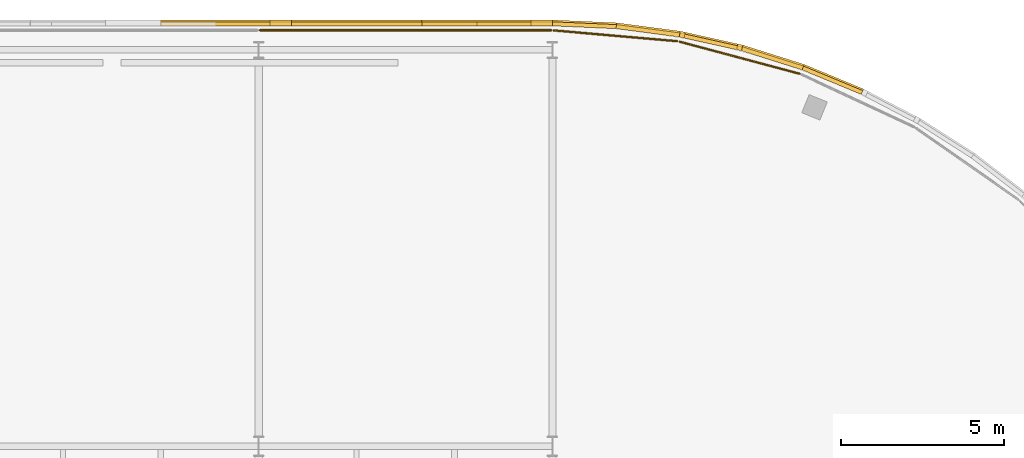
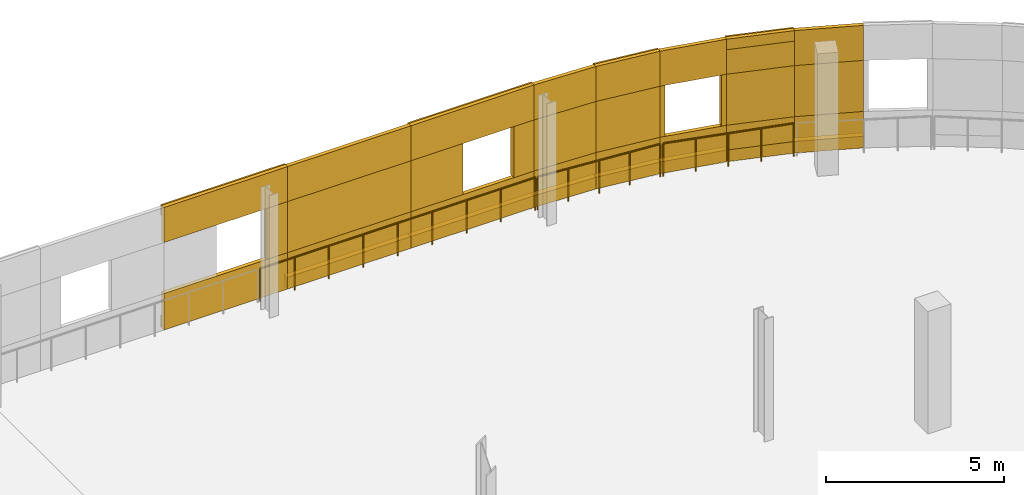
# One storey, part 128 of 132: 38 coverings, 3 railings.
"""IFC4 building model written with IfcOpenShell, lengths in metres."""

from ifc_helpers import new_model, si_unit, direction, frame, origin, origin_2d, place, context, subcontext, project, spatial, rectangle, circle, extrude, material, layer, layer_set, type_object, element, save


model = new_model("IFC4")

# Units and contexts
model_context = context("Model", 3, precision=1e-05, world=origin(), true_north=direction((0.0, 1.0)))
body_context = subcontext(model_context, "Body", "Model", "MODEL_VIEW")
ifc_project = project(units=[si_unit("LENGTHUNIT", "METRE"), si_unit("AREAUNIT", "SQUARE_METRE"), si_unit("VOLUMEUNIT", "CUBIC_METRE"), si_unit("PLANEANGLEUNIT", "RADIAN"), si_unit("MASSUNIT", "GRAM", prefix="KILO")], contexts=[model_context])

# Site, building, storey
site_placement = place(None, origin())
site = spatial("IfcSite", under=ifc_project, at=site_placement, CompositionType="ELEMENT")
building_placement = place(site_placement, origin())
building = spatial("IfcBuilding", under=site, at=building_placement, Name="Deido Ridge Mobility Hub", CompositionType="ELEMENT")
storey_placement = place(building_placement, frame((0.0, 0.0, 8.39990234375)))
storey = spatial("IfcBuildingStorey", under=building, at=storey_placement, Name="L02", CompositionType="ELEMENT", Elevation=8.39990234375)

# Coverings
ifc_material_1 = material(Name="Fired clay brick masonry", Category="masonry")
ifc_layer = layer(ifc_material_1, 0.114990234375, Name="Fired clay brick masonry")
ifc_layer_set = layer_set([ifc_layer], Name="Fired clay brick masonry")
covering_type = type_object("IfcCoveringType", Name="COV-BRK-SCREEN-115", PredefinedType="CLADDING", material=ifc_layer_set)
covering_1_placement = place(storey_placement, frame((125.58203125, 124.218994140625, 0.0), z_axis=(0.0, 0.0, 1.0), x_axis=(-0.923872853285, 0.382699557047, 0.0)))
element("IfcCovering", 1, at=covering_1_placement, inside=storey, type_object=covering_type, Name="Open brickwork spandrel course BKS1 (L02)", PredefinedType="CLADDING", context=body_context, shape_type="SweptSolid", body=[
    extrude(rectangle(XDim=1.9619140625, YDim=0.125, at=origin_2d()), origin(), (0.0, 0.0, 1.0), 1.25),
])
covering_2_placement = place(storey_placement, frame((125.5927734375, 124.244384765625, 0.000244140625), z_axis=(0.0, 0.0, 1.0), x_axis=(-0.923872853285, 0.382699557047, 0.0)))
element("IfcCovering", 2, at=covering_2_placement, inside=storey, type_object=covering_type, Name="Raised brick relief belt BKS1 (L02)", PredefinedType="CLADDING", context=body_context, shape_type="SweptSolid", body=[
    extrude(rectangle(XDim=1.9619140625, YDim=0.179931640625, at=origin_2d()), origin(), (0.0, 0.0, 1.0), 0.39990234375),
])
covering_3_placement = place(storey_placement, frame((125.58203125, 124.218994140625, 3.0), z_axis=(0.0, 0.0, 1.0), x_axis=(-0.923872853285, 0.382699557047, 0.0)))
element("IfcCovering", 3, at=covering_3_placement, inside=storey, type_object=covering_type, Name="Open brickwork lintel course BKS1 (L02)", PredefinedType="CLADDING", context=body_context, shape_type="SweptSolid", body=[
    extrude(rectangle(XDim=1.9619140625, YDim=0.125, at=origin_2d()), origin(), (0.0, 0.0, 1.0), 1.199951171875),
])
covering_4_placement = place(storey_placement, frame((125.58203125, 124.218994140625, 1.25), z_axis=(0.0, 0.0, 1.0), x_axis=(-0.923872853285, 0.382699557047, 0.0)))
element("IfcCovering", 4, at=covering_4_placement, inside=storey, type_object=covering_type, Name="Curved raised brickwork pier BKS1 (L02)", PredefinedType="CLADDING", context=body_context, shape_type="SweptSolid", body=[
    extrude(rectangle(XDim=1.9619140625, YDim=0.125, at=origin_2d()), origin(), (0.0, 0.0, 1.0), 1.75),
])
covering_5_placement = place(storey_placement, frame((123.74365234375, 124.88818359375, 0.0), z_axis=(0.0, 0.0, 1.0), x_axis=(-0.95372744678, 0.300672508319, 0.0)))
element("IfcCovering", 5, at=covering_5_placement, inside=storey, type_object=covering_type, Name="Open brickwork spandrel course BKS1 (L02)", PredefinedType="CLADDING", context=body_context, shape_type="SweptSolid", body=[
    extrude(rectangle(XDim=1.9619140625, YDim=0.125, at=origin_2d()), origin(), (0.0, 0.0, 1.0), 1.25),
])
covering_6_placement = place(storey_placement, frame((123.751953125, 124.914306640625, 0.000244140625), z_axis=(0.0, 0.0, 1.0), x_axis=(-0.95372744678, 0.300672508319, 0.0)))
element("IfcCovering", 6, at=covering_6_placement, inside=storey, type_object=covering_type, Name="Raised brick relief belt BKS1 (L02)", PredefinedType="CLADDING", context=body_context, shape_type="SweptSolid", body=[
    extrude(rectangle(XDim=1.9619140625, YDim=0.179931640625, at=origin_2d()), origin(), (0.0, 0.0, 1.0), 0.39990234375),
])
covering_7_placement = place(storey_placement, frame((123.74365234375, 124.88818359375, 3.0), z_axis=(0.0, 0.0, 1.0), x_axis=(-0.95372744678, 0.300672508319, 0.0)))
element("IfcCovering", 7, at=covering_7_placement, inside=storey, type_object=covering_type, Name="Open brickwork lintel course BKS1 (L02)", PredefinedType="CLADDING", context=body_context, shape_type="SweptSolid", body=[
    extrude(rectangle(XDim=1.9619140625, YDim=0.125, at=origin_2d()), origin(), (0.0, 0.0, 1.0), 1.199951171875),
])
covering_8_placement = place(storey_placement, frame((123.751953125, 124.914306640625, 3.83984375), z_axis=(0.0, 0.0, 1.0), x_axis=(-0.95372744678, 0.300672508319, 0.0)))
element("IfcCovering", 8, at=covering_8_placement, inside=storey, type_object=covering_type, Name="Raised brick relief cornice BKS1 (L02)", PredefinedType="CLADDING", context=body_context, shape_type="SweptSolid", body=[
    extrude(rectangle(XDim=1.9619140625, YDim=0.179931640625, at=origin_2d()), origin(), (0.0, 0.0, 1.0), 0.360107421875),
])
covering_9_placement = place(storey_placement, frame((123.751953125, 124.914306640625, 1.25), z_axis=(0.0, 0.0, 1.0), x_axis=(-0.95372744678, 0.300672508319, 0.0)))
element("IfcCovering", 9, at=covering_9_placement, inside=storey, type_object=covering_type, Name="Curved raised brickwork pier BKS1 (L02)", PredefinedType="CLADDING", context=body_context, shape_type="SweptSolid", body=[
    extrude(rectangle(XDim=1.9619140625, YDim=0.179931640625, at=origin_2d()), origin(), (0.0, 0.0, 1.0), 1.75),
])
covering_10_placement = place(storey_placement, frame((121.85400390625, 125.39453125, 0.0), z_axis=(0.0, 0.0, 1.0), x_axis=(-0.976292229387, 0.216456653485, 0.0)))
element("IfcCovering", 10, at=covering_10_placement, inside=storey, type_object=covering_type, Name="Open brickwork spandrel course BKS1 (L02)", PredefinedType="CLADDING", context=body_context, shape_type="SweptSolid", body=[
    extrude(rectangle(XDim=1.9619140625, YDim=0.125, at=origin_2d()), origin(), (0.0, 0.0, 1.0), 1.25),
])
covering_11_placement = place(storey_placement, frame((121.85986328125, 125.42138671875, 0.000244140625), z_axis=(0.0, 0.0, 1.0), x_axis=(-0.976292229387, 0.216456653485, 0.0)))
element("IfcCovering", 11, at=covering_11_placement, inside=storey, type_object=covering_type, Name="Raised brick relief belt BKS1 (L02)", PredefinedType="CLADDING", context=body_context, shape_type="SweptSolid", body=[
    extrude(rectangle(XDim=1.9619140625, YDim=0.179931640625, at=origin_2d()), origin(), (0.0, 0.0, 1.0), 0.39990234375),
])
covering_12_placement = place(storey_placement, frame((121.85400390625, 125.39453125, 3.0), z_axis=(0.0, 0.0, 1.0), x_axis=(-0.976292229387, 0.216456653485, 0.0)))
element("IfcCovering", 12, at=covering_12_placement, inside=storey, type_object=covering_type, Name="Open brickwork lintel course BKS1 (L02)", PredefinedType="CLADDING", context=body_context, shape_type="SweptSolid", body=[
    extrude(rectangle(XDim=1.9619140625, YDim=0.125, at=origin_2d()), origin(), (0.0, 0.0, 1.0), 1.199951171875),
])
for number, where, z_axis, x_axis, name in (
    (13, (122.739501953125, 125.226318359375, 1.25), (0.0, 0.0, 1.0), (-0.976292229387, 0.216456653485, 0.0), "Curved brick jamb nib BKS1 (L02)"),
    (14, (120.980224609375, 125.616455078125, 1.25), (0.0, 0.0, 1.0), (-0.976292229387, 0.216456653485, 0.0), "Curved brick jamb nib BKS1 (L02)"),
):
    element("IfcCovering", number, at=place(storey_placement, frame(where, z_axis=z_axis, x_axis=x_axis)), inside=storey, type_object=covering_type, Name=name, PredefinedType="CLADDING", context=body_context, shape_type="SweptSolid", body=[
        extrude(rectangle(XDim=0.152099609375, YDim=0.179931640625, at=origin_2d()), origin(), (0.0, 0.0, 1.0), 1.75),
    ])
covering_13_placement = place(storey_placement, frame((119.92724609375, 125.734375, 0.0), z_axis=(0.0, 0.0, 1.0), x_axis=(-0.991442583111, 0.130543496177, 0.0)))
element("IfcCovering", 15, at=covering_13_placement, inside=storey, type_object=covering_type, Name="Open brickwork spandrel course BKS1 (L02)", PredefinedType="CLADDING", context=body_context, shape_type="SweptSolid", body=[
    extrude(rectangle(XDim=1.9619140625, YDim=0.125, at=origin_2d()), origin(), (0.0, 0.0, 1.0), 1.25),
])
covering_14_placement = place(storey_placement, frame((119.930908203125, 125.76171875, 0.000244140625), z_axis=(0.0, 0.0, 1.0), x_axis=(-0.991442583111, 0.130543496177, 0.0)))
element("IfcCovering", 16, at=covering_14_placement, inside=storey, type_object=covering_type, Name="Raised brick relief belt BKS1 (L02)", PredefinedType="CLADDING", context=body_context, shape_type="SweptSolid", body=[
    extrude(rectangle(XDim=1.9619140625, YDim=0.179931640625, at=origin_2d()), origin(), (0.0, 0.0, 1.0), 0.39990234375),
])
covering_15_placement = place(storey_placement, frame((119.92724609375, 125.734375, 3.0), z_axis=(0.0, 0.0, 1.0), x_axis=(-0.991442583111, 0.130543496177, 0.0)))
element("IfcCovering", 17, at=covering_15_placement, inside=storey, type_object=covering_type, Name="Open brickwork lintel course BKS1 (L02)", PredefinedType="CLADDING", context=body_context, shape_type="SweptSolid", body=[
    extrude(rectangle(XDim=1.9619140625, YDim=0.125, at=origin_2d()), origin(), (0.0, 0.0, 1.0), 1.199951171875),
])
covering_16_placement = place(storey_placement, frame((119.930908203125, 125.76171875, 3.83984375), z_axis=(0.0, 0.0, 1.0), x_axis=(-0.991442583111, 0.130543496177, 0.0)))
element("IfcCovering", 18, at=covering_16_placement, inside=storey, type_object=covering_type, Name="Raised brick relief cornice BKS1 (L02)", PredefinedType="CLADDING", context=body_context, shape_type="SweptSolid", body=[
    extrude(rectangle(XDim=1.9619140625, YDim=0.179931640625, at=origin_2d()), origin(), (0.0, 0.0, 1.0), 0.360107421875),
])
covering_17_placement = place(storey_placement, frame((119.930908203125, 125.76171875, 1.25), z_axis=(0.0, 0.0, 1.0), x_axis=(-0.991442583111, 0.130543496177, 0.0)))
element("IfcCovering", 19, at=covering_17_placement, inside=storey, type_object=covering_type, Name="Curved raised brickwork pier BKS1 (L02)", PredefinedType="CLADDING", context=body_context, shape_type="SweptSolid", body=[
    extrude(rectangle(XDim=1.9619140625, YDim=0.179931640625, at=origin_2d()), origin(), (0.0, 0.0, 1.0), 1.75),
])
covering_18_placement = place(storey_placement, frame((117.978271484375, 125.90478515625, 0.0), z_axis=(0.0, 0.0, 1.0), x_axis=(-0.999048982732, 0.043601950678, 0.0)))
element("IfcCovering", 20, at=covering_18_placement, inside=storey, type_object=covering_type, Name="Open brickwork spandrel course BKS1 (L02)", PredefinedType="CLADDING", context=body_context, shape_type="SweptSolid", body=[
    extrude(rectangle(XDim=1.9619140625, YDim=0.125, at=origin_2d()), origin(), (0.0, 0.0, 1.0), 1.25),
])
covering_19_placement = place(storey_placement, frame((117.9794921875, 125.932373046875, 0.000244140625), z_axis=(0.0, 0.0, 1.0), x_axis=(-0.999048982732, 0.043601950678, 0.0)))
element("IfcCovering", 21, at=covering_19_placement, inside=storey, type_object=covering_type, Name="Raised brick relief belt BKS1 (L02)", PredefinedType="CLADDING", context=body_context, shape_type="SweptSolid", body=[
    extrude(rectangle(XDim=1.9619140625, YDim=0.179931640625, at=origin_2d()), origin(), (0.0, 0.0, 1.0), 0.39990234375),
])
covering_20_placement = place(storey_placement, frame((117.978271484375, 125.90478515625, 3.0), z_axis=(0.0, 0.0, 1.0), x_axis=(-0.999048982732, 0.043601950678, 0.0)))
element("IfcCovering", 22, at=covering_20_placement, inside=storey, type_object=covering_type, Name="Open brickwork lintel course BKS1 (L02)", PredefinedType="CLADDING", context=body_context, shape_type="SweptSolid", body=[
    extrude(rectangle(XDim=1.9619140625, YDim=0.125, at=origin_2d()), origin(), (0.0, 0.0, 1.0), 1.199951171875),
])
covering_21_placement = place(storey_placement, frame((117.978271484375, 125.90478515625, 1.25), z_axis=(0.0, 0.0, 1.0), x_axis=(-0.999048982732, 0.043601950678, 0.0)))
element("IfcCovering", 23, at=covering_21_placement, inside=storey, type_object=covering_type, Name="Curved raised brickwork pier BKS1 (L02)", PredefinedType="CLADDING", context=body_context, shape_type="SweptSolid", body=[
    extrude(rectangle(XDim=1.9619140625, YDim=0.125, at=origin_2d()), origin(), (0.0, 0.0, 1.0), 1.75),
])
covering_22_placement = place(storey_placement, frame((115.0, 125.947509765625, 0.0), z_axis=(0.0, 0.0, 1.0), x_axis=(-1.0, 0.0, 0.0)))
element("IfcCovering", 24, at=covering_22_placement, inside=storey, type_object=covering_type, Name="Open brickwork spandrel course BKS1 (L02)", PredefinedType="CLADDING", context=body_context, shape_type="SweptSolid", body=[
    extrude(rectangle(XDim=4.01611328125, YDim=0.125, at=origin_2d()), origin(), (0.0, 0.0, 1.0), 1.25),
])
covering_23_placement = place(storey_placement, frame((115.0, 125.97509765625, 0.000244140625), z_axis=(0.0, 0.0, 1.0), x_axis=(-1.0, 0.0, 0.0)))
element("IfcCovering", 25, at=covering_23_placement, inside=storey, type_object=covering_type, Name="Raised brick relief belt BKS1 (L02)", PredefinedType="CLADDING", context=body_context, shape_type="SweptSolid", body=[
    extrude(rectangle(XDim=4.01611328125, YDim=0.179931640625, at=origin_2d()), origin(), (0.0, 0.0, 1.0), 0.39990234375),
])
covering_24_placement = place(storey_placement, frame((115.0, 125.947509765625, 3.0), z_axis=(0.0, 0.0, 1.0), x_axis=(-1.0, 0.0, 0.0)))
element("IfcCovering", 26, at=covering_24_placement, inside=storey, type_object=covering_type, Name="Open brickwork lintel course BKS1 (L02)", PredefinedType="CLADDING", context=body_context, shape_type="SweptSolid", body=[
    extrude(rectangle(XDim=4.01611328125, YDim=0.125, at=origin_2d()), origin(), (0.0, 0.0, 1.0), 1.199951171875),
])
covering_25_placement = place(storey_placement, frame((115.0, 125.97509765625, 3.83984375), z_axis=(0.0, 0.0, 1.0), x_axis=(-1.0, 0.0, 0.0)))
element("IfcCovering", 27, at=covering_25_placement, inside=storey, type_object=covering_type, Name="Raised brick relief cornice BKS1 (L02)", PredefinedType="CLADDING", context=body_context, shape_type="SweptSolid", body=[
    extrude(rectangle(XDim=4.01611328125, YDim=0.179931640625, at=origin_2d()), origin(), (0.0, 0.0, 1.0), 0.360107421875),
])
covering_26_placement = place(storey_placement, frame((116.672607421875, 125.97509765625, 1.25), z_axis=(0.0, 0.0, 1.0), x_axis=(-1.0, 0.0, 0.0)))
element("IfcCovering", 28, at=covering_26_placement, inside=storey, type_object=covering_type, Name="Open brickwork pier BKS1 (L02)", PredefinedType="CLADDING", context=body_context, shape_type="SweptSolid", body=[
    extrude(rectangle(XDim=0.655029296875, YDim=0.179931640625, at=origin_2d()), origin(), (0.0, 0.0, 1.0), 1.75),
])
covering_27_placement = place(storey_placement, frame((113.847412109375, 125.947509765625, 1.25), z_axis=(0.0, 0.0, 1.0), x_axis=(-1.0, 0.0, 0.0)))
element("IfcCovering", 29, at=covering_27_placement, inside=storey, type_object=covering_type, Name="Open brickwork pier BKS1 (L02)", PredefinedType="CLADDING", context=body_context, shape_type="SweptSolid", body=[
    extrude(rectangle(XDim=1.695068359375, YDim=0.125, at=origin_2d()), origin(), (0.0, 0.0, 1.0), 1.75),
])
covering_28_placement = place(storey_placement, frame((111.0, 125.947509765625, 0.0), z_axis=(0.0, 0.0, 1.0), x_axis=(-1.0, 0.0, 0.0)))
element("IfcCovering", 30, at=covering_28_placement, inside=storey, type_object=covering_type, Name="Open brickwork spandrel course BKS1 (L02)", PredefinedType="CLADDING", context=body_context, shape_type="SweptSolid", body=[
    extrude(rectangle(XDim=4.01611328125, YDim=0.125, at=origin_2d()), origin(), (0.0, 0.0, 1.0), 1.25),
])
covering_29_placement = place(storey_placement, frame((111.0, 125.97509765625, 0.000244140625), z_axis=(0.0, 0.0, 1.0), x_axis=(-1.0, 0.0, 0.0)))
element("IfcCovering", 31, at=covering_29_placement, inside=storey, type_object=covering_type, Name="Raised brick relief belt BKS1 (L02)", PredefinedType="CLADDING", context=body_context, shape_type="SweptSolid", body=[
    extrude(rectangle(XDim=4.01611328125, YDim=0.179931640625, at=origin_2d()), origin(), (0.0, 0.0, 1.0), 0.39990234375),
])
covering_30_placement = place(storey_placement, frame((111.0, 125.947509765625, 3.0), z_axis=(0.0, 0.0, 1.0), x_axis=(-1.0, 0.0, 0.0)))
element("IfcCovering", 32, at=covering_30_placement, inside=storey, type_object=covering_type, Name="Open brickwork lintel course BKS1 (L02)", PredefinedType="CLADDING", context=body_context, shape_type="SweptSolid", body=[
    extrude(rectangle(XDim=4.01611328125, YDim=0.125, at=origin_2d()), origin(), (0.0, 0.0, 1.0), 1.199951171875),
])
covering_31_placement = place(storey_placement, frame((111.0, 125.97509765625, 1.25), z_axis=(0.0, 0.0, 1.0), x_axis=(-1.0, 0.0, 0.0)))
element("IfcCovering", 33, at=covering_31_placement, inside=storey, type_object=covering_type, Name="Raised brick relief panel BKS1 (L02)", PredefinedType="CLADDING", context=body_context, shape_type="SweptSolid", body=[
    extrude(rectangle(XDim=4.008056640625, YDim=0.179931640625, at=origin_2d()), origin(), (0.0, 0.0, 1.0), 1.75),
])
covering_32_placement = place(storey_placement, frame((107.0, 125.947509765625, 0.0), z_axis=(0.0, 0.0, 1.0), x_axis=(-1.0, 0.0, 0.0)))
element("IfcCovering", 34, at=covering_32_placement, inside=storey, type_object=covering_type, Name="Open brickwork spandrel course BKS1 (L02)", PredefinedType="CLADDING", context=body_context, shape_type="SweptSolid", body=[
    extrude(rectangle(XDim=4.01611328125, YDim=0.125, at=origin_2d()), origin(), (0.0, 0.0, 1.0), 1.25),
])
covering_33_placement = place(storey_placement, frame((107.0, 125.97509765625, 0.000244140625), z_axis=(0.0, 0.0, 1.0), x_axis=(-1.0, 0.0, 0.0)))
element("IfcCovering", 35, at=covering_33_placement, inside=storey, type_object=covering_type, Name="Raised brick relief belt BKS1 (L02)", PredefinedType="CLADDING", context=body_context, shape_type="SweptSolid", body=[
    extrude(rectangle(XDim=4.01611328125, YDim=0.179931640625, at=origin_2d()), origin(), (0.0, 0.0, 1.0), 0.39990234375),
])
covering_34_placement = place(storey_placement, frame((107.0, 125.947509765625, 3.0), z_axis=(0.0, 0.0, 1.0), x_axis=(-1.0, 0.0, 0.0)))
element("IfcCovering", 36, at=covering_34_placement, inside=storey, type_object=covering_type, Name="Open brickwork lintel course BKS1 (L02)", PredefinedType="CLADDING", context=body_context, shape_type="SweptSolid", body=[
    extrude(rectangle(XDim=4.01611328125, YDim=0.125, at=origin_2d()), origin(), (0.0, 0.0, 1.0), 1.199951171875),
])
covering_35_placement = place(storey_placement, frame((107.0, 125.97509765625, 3.83984375), z_axis=(0.0, 0.0, 1.0), x_axis=(-1.0, 0.0, 0.0)))
element("IfcCovering", 37, at=covering_35_placement, inside=storey, type_object=covering_type, Name="Raised brick relief cornice BKS1 (L02)", PredefinedType="CLADDING", context=body_context, shape_type="SweptSolid", body=[
    extrude(rectangle(XDim=4.01611328125, YDim=0.179931640625, at=origin_2d()), origin(), (0.0, 0.0, 1.0), 0.360107421875),
])
covering_36_placement = place(storey_placement, frame((108.672607421875, 125.97509765625, 1.25), z_axis=(0.0, 0.0, 1.0), x_axis=(-1.0, 0.0, 0.0)))
element("IfcCovering", 38, at=covering_36_placement, inside=storey, type_object=covering_type, Name="Open brickwork pier BKS1 (L02)", PredefinedType="CLADDING", context=body_context, shape_type="SweptSolid", body=[
    extrude(rectangle(XDim=0.655029296875, YDim=0.179931640625, at=origin_2d()), origin(), (0.0, 0.0, 1.0), 1.75),
])

# Railings
ifc_material_2 = material(Name="Galvanised steel work", Category="steel")
railing_type = type_object("IfcRailingType", Name="RL-GRD-EXT-1150", PredefinedType="GUARDRAIL", material=ifc_material_2)
railing_1_placement = place(storey_placement, frame((124.5712890625, 124.418701171875, 0.0)))
element("IfcRailing", 39, at=railing_1_placement, inside=storey, type_object=railing_type, Name="Parking drum perimeter guard (L02)", PredefinedType="GUARDRAIL", context=body_context, shape_type="SweptSolid", body=[
    extrude(circle(Radius=0.02392578125, at=origin_2d()), frame((0.0, 0.0, 1.1259765625), z_axis=(-0.965937723757, 0.258774639064, 0.0), x_axis=(-0.258774639064, -0.965937723757, 0.0)), (0.0, 0.0, 1.0), 3.79833984375),
    extrude(circle(Radius=0.02099609375, at=origin_2d()), origin(), (0.0, 0.0, 1.0), 1.101806640625),
    extrude(circle(Radius=0.02099609375, at=origin_2d()), frame((-0.917236328125, 0.24560546875, 0.0)), (0.0, 0.0, 1.0), 1.101806640625),
    extrude(circle(Radius=0.02099609375, at=origin_2d()), frame((-1.83447265625, 0.491455078125, 0.0)), (0.0, 0.0, 1.0), 1.101806640625),
    extrude(circle(Radius=0.02099609375, at=origin_2d()), frame((-2.751708984375, 0.7373046875, 0.0)), (0.0, 0.0, 1.0), 1.101806640625),
    extrude(circle(Radius=0.02099609375, at=origin_2d()), frame((-3.6689453125, 0.98291015625, 0.0)), (0.0, 0.0, 1.0), 1.101806640625),
])
railing_2_placement = place(storey_placement, frame((120.823974609375, 125.41552734375, 0.0)))
element("IfcRailing", 40, at=railing_2_placement, inside=storey, type_object=railing_type, Name="Parking drum perimeter guard (L02)", PredefinedType="GUARDRAIL", context=body_context, shape_type="SweptSolid", body=[
    extrude(circle(Radius=0.02392578125, at=origin_2d()), frame((0.0, 0.0, 1.1259765625), z_axis=(-0.996195112607, 0.08715100469, 0.0), x_axis=(-0.08715100469, -0.996195112607, 0.0)), (0.0, 0.0, 1.0), 3.798583984375),
    extrude(circle(Radius=0.02099609375, at=origin_2d()), origin(), (0.0, 0.0, 1.0), 1.101806640625),
    extrude(circle(Radius=0.02099609375, at=origin_2d()), frame((-0.946044921875, 0.082763671875, 0.0)), (0.0, 0.0, 1.0), 1.101806640625),
    extrude(circle(Radius=0.02099609375, at=origin_2d()), frame((-1.89208984375, 0.16552734375, 0.0)), (0.0, 0.0, 1.0), 1.101806640625),
    extrude(circle(Radius=0.02099609375, at=origin_2d()), frame((-2.838134765625, 0.248291015625, 0.0)), (0.0, 0.0, 1.0), 1.101806640625),
    extrude(circle(Radius=0.02099609375, at=origin_2d()), frame((-3.7841796875, 0.3310546875, 0.0)), (0.0, 0.0, 1.0), 1.101806640625),
])
railing_3_placement = place(storey_placement, frame((116.9599609375, 125.75, 0.0)))
element("IfcRailing", 41, at=railing_3_placement, inside=storey, type_object=railing_type, Name="Parking drum perimeter guard (L02)", PredefinedType="GUARDRAIL", context=body_context, shape_type="SweptSolid", body=[
    extrude(circle(Radius=0.02392578125, at=origin_2d()), frame((0.0, 0.0, 1.1259765625), z_axis=(-1.0, 0.0, 0.0), x_axis=(0.0, -1.0, 0.0)), (0.0, 0.0, 1.0), 8.919921875),
    extrude(circle(Radius=0.02099609375, at=origin_2d()), origin(), (0.0, 0.0, 1.0), 1.101806640625),
    extrude(circle(Radius=0.02099609375, at=origin_2d()), frame((-1.114990234375, 0.0, 0.0)), (0.0, 0.0, 1.0), 1.101806640625),
    extrude(circle(Radius=0.02099609375, at=origin_2d()), frame((-2.22998046875, 0.0, 0.0)), (0.0, 0.0, 1.0), 1.101806640625),
    extrude(circle(Radius=0.02099609375, at=origin_2d()), frame((-3.344970703125, 0.0, 0.0)), (0.0, 0.0, 1.0), 1.101806640625),
    extrude(circle(Radius=0.02099609375, at=origin_2d()), frame((-4.4599609375, 0.0, 0.0)), (0.0, 0.0, 1.0), 1.101806640625),
    extrude(circle(Radius=0.02099609375, at=origin_2d()), frame((-5.574951171875, 0.0, 0.0)), (0.0, 0.0, 1.0), 1.101806640625),
    extrude(circle(Radius=0.02099609375, at=origin_2d()), frame((-6.68994140625, 0.0, 0.0)), (0.0, 0.0, 1.0), 1.101806640625),
    extrude(circle(Radius=0.02099609375, at=origin_2d()), frame((-7.804931640625, 0.0, 0.0)), (0.0, 0.0, 1.0), 1.101806640625),
    extrude(circle(Radius=0.02099609375, at=origin_2d()), frame((-8.919921875, 0.0, 0.0)), (0.0, 0.0, 1.0), 1.101806640625),
])

save(model, "model.ifc")
